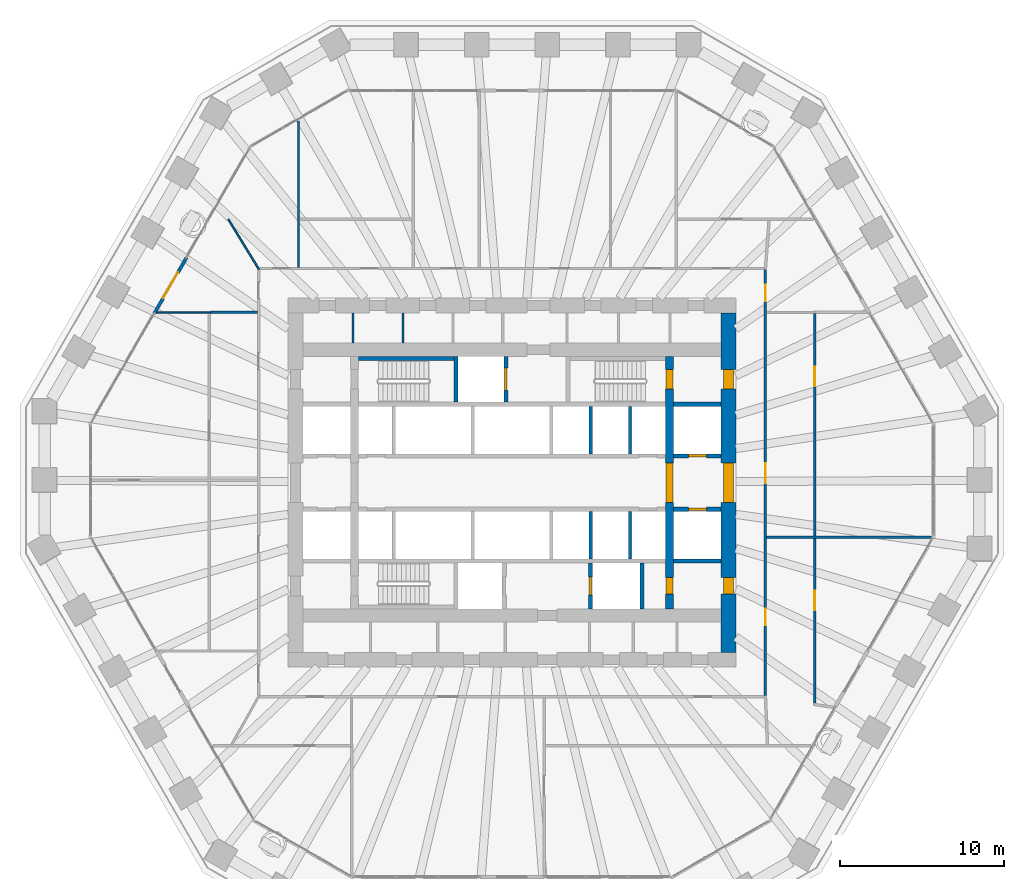
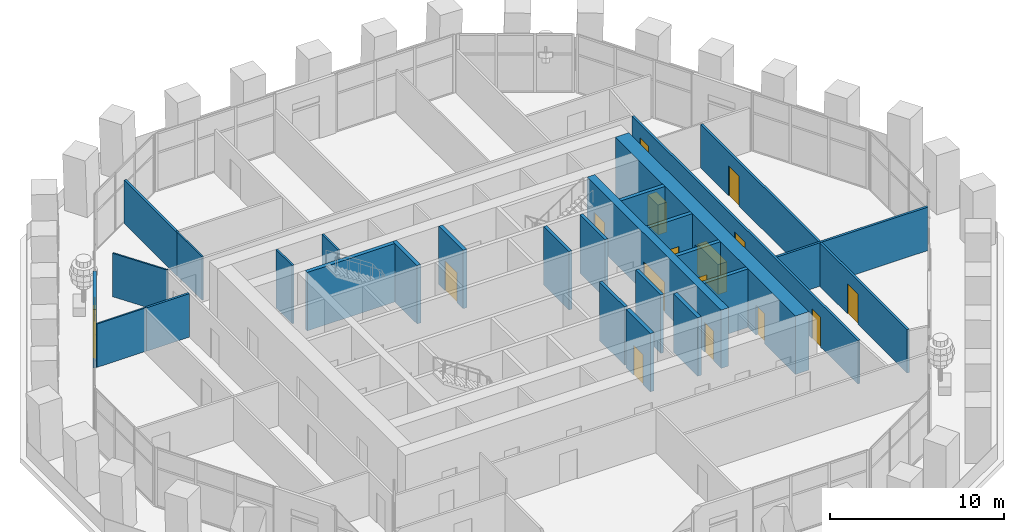
# One storey, part 13 of 18: 26 walls, 16 doors, 1 window, 17 openings.
"""IFC4 building model written with IfcOpenShell, lengths in metres."""

import ifcopenshell
import ifcopenshell.guid

model = None  # the IFC model being written
_history = None  # IfcOwnerHistory: only IFC2X3 demands one
_inside = {}  # id of a spatial element -> (the spatial element, [elements in it])
_under = {}  # id of a project, library or spatial element -> (it, [spatial elements below it])
_declared = {}  # id of a project -> (the project, [libraries it declares])
_typed = {}  # id of a type object -> (the type object, [elements of that type])
_made_of = {}  # id of a material, layer set ... -> (it, [elements and type objects made of it])


def new_model(schema):
    """Start an empty IFC model of exactly this schema.

    Asked for "IFC4X3", IfcOpenShell would pick the latest addendum, in which some entities
    have other attributes; the version numbers below select the first issue.
    IFC2X3 requires an IfcOwnerHistory on every rooted entity: one is made here for all.
    """
    global model, _history
    if schema == "IFC4X3":
        model = ifcopenshell.file(schema_version=(4, 3, 0, 0))
    else:
        model = ifcopenshell.file(schema=schema)
    _inside.clear()
    _under.clear()
    _declared.clear()
    _typed.clear()
    _made_of.clear()
    _history = None
    if model.schema == "IFC2X3":
        org = make("IfcOrganization", Name="unknown")
        user = make(
            "IfcPersonAndOrganization",
            ThePerson=make("IfcPerson", FamilyName="unknown"),
            TheOrganization=org,
        )
        app = make(
            "IfcApplication",
            ApplicationDeveloper=org,
            Version="unknown",
            ApplicationFullName="unknown",
            ApplicationIdentifier="unknown",
        )
        _history = make(
            "IfcOwnerHistory",
            OwningUser=user,
            OwningApplication=app,
            ChangeAction="ADDED",
            CreationDate=0,
        )
    return model


def make(cls, **values):
    """One entity of the class cls with the attributes given. An attribute that is None is left unset."""
    return model.create_entity(
        cls, **{name: value for name, value in values.items() if value is not None}
    )


def rooted(cls, **values):
    """An entity with a GlobalId (a new one), such as an element, a storey or a relation."""
    return make(cls, GlobalId=ifcopenshell.guid.new(), OwnerHistory=_history, **values)


def si_unit(unit_type, name, prefix=None):
    """IfcSIUnit, for example si_unit("LENGTHUNIT", "METRE", prefix="MILLI")."""
    return make("IfcSIUnit", UnitType=unit_type, Prefix=prefix, Name=name)


def assignment(units):
    """IfcUnitAssignment: the units of a project."""
    return None if units is None else make("IfcUnitAssignment", Units=units)


def point(xyz):
    """IfcCartesianPoint."""
    return None if xyz is None else make("IfcCartesianPoint", Coordinates=xyz)


def direction(xyz):
    """IfcDirection."""
    return None if xyz is None else make("IfcDirection", DirectionRatios=xyz)


def frame(location, z_axis=None, x_axis=None):
    """IfcAxis2Placement3D, a coordinate frame: its origin and axes. An axis left out is left unset."""
    return make(
        "IfcAxis2Placement3D",
        Location=point(location),
        Axis=direction(z_axis),
        RefDirection=direction(x_axis),
    )


def frame_2d(location, x_axis=None):
    """IfcAxis2Placement2D, a coordinate frame in the plane: its origin and x axis."""
    return make(
        "IfcAxis2Placement2D", Location=point(location), RefDirection=direction(x_axis)
    )


def origin():
    """The frame at (0, 0, 0) with its axes left unset."""
    return frame((0.0, 0.0, 0.0))


def place(relative_to, where):
    """IfcLocalPlacement: puts the frame where relative to a parent placement (None: the world)."""
    return make(
        "IfcLocalPlacement", PlacementRelTo=relative_to, RelativePlacement=where
    )


def context(
    kind, dimensions, precision=None, world=None, true_north=None, identifier=None
):
    """IfcGeometricRepresentationContext, for example the 3D "Model" context."""
    return make(
        "IfcGeometricRepresentationContext",
        ContextIdentifier=identifier,
        ContextType=kind,
        CoordinateSpaceDimension=dimensions,
        Precision=precision,
        WorldCoordinateSystem=world,
        TrueNorth=true_north,
    )


def subcontext(parent, identifier, kind, view, scale=None):
    """IfcGeometricRepresentationSubContext, for example "Body" below "Model"."""
    return make(
        "IfcGeometricRepresentationSubContext",
        ContextIdentifier=identifier,
        ContextType=kind,
        ParentContext=parent,
        TargetScale=scale,
        TargetView=view,
    )


def project(units=None, contexts=None):
    """IfcProject with its units and contexts."""
    return rooted(
        "IfcProject",
        Name="project",
        RepresentationContexts=contexts,
        UnitsInContext=assignment(units),
    )


def spatial(cls, under=None, at=None, **own):
    """A site, building, storey or space (cls), placed at a placement, below another one or the project."""
    s = rooted(cls, ObjectPlacement=at, **own)
    if under is not None:
        _under.setdefault(under.id(), (under, []))[1].append(s)
    return s


def profile(cls, at=None, kind="AREA", **sizes):
    """A parametric profile (cls). Its sizes go by their IFC names, for example OverallWidth=200.0."""
    return make(cls, ProfileType=kind, Position=at, **sizes)


def rectangle(**sizes):
    """IfcRectangleProfileDef."""
    return profile("IfcRectangleProfileDef", **sizes)


def extrude(swept, where, along, depth):
    """IfcExtrudedAreaSolid: the profile swept, set in the frame where, extruded along a direction by depth."""
    return make(
        "IfcExtrudedAreaSolid",
        SweptArea=swept,
        Position=where,
        ExtrudedDirection=direction(along),
        Depth=depth,
    )


def shape(context_of_items, identifier, shape_type, items):
    """IfcShapeRepresentation: the items that make up one representation, for example the "Body"."""
    return make(
        "IfcShapeRepresentation",
        ContextOfItems=context_of_items,
        RepresentationIdentifier=identifier,
        RepresentationType=shape_type,
        Items=items,
    )


def material(Name=None, Category=None):
    """IfcMaterial."""
    return make("IfcMaterial", Name=Name, Category=Category)


def layer(
    of_material, thickness, ventilated=None, Name=None, Category=None, Priority=None
):
    """IfcMaterialLayer: one layer of a wall or slab, of a material (None: an air gap)."""
    return make(
        "IfcMaterialLayer",
        Material=of_material,
        LayerThickness=thickness,
        IsVentilated=ventilated,
        Name=Name,
        Category=Category,
        Priority=Priority,
    )


def layer_set(layers, Name=None):
    """IfcMaterialLayerSet."""
    return make("IfcMaterialLayerSet", MaterialLayers=layers, LayerSetName=Name)


def made_of(thing, what):
    """Note that an element or type object is made of a material, layer set ...; save() writes the relation."""
    if what is not None:
        _made_of.setdefault(what.id(), (what, []))[1].append(thing)
    return thing


def type_object(cls, material=None, **own):
    """A type object (cls), such as IfcWallType, which elements share."""
    return made_of(rooted(cls, **own), material)


def element(
    cls,
    number,
    at=None,
    inside=None,
    cuts=None,
    type_object=None,
    material=None,
    context=None,
    identifier="Body",
    shape_type=None,
    held_by="IfcProductDefinitionShape",
    body=None,
    shapes=None,
    **own,
):
    """One element of the class cls, such as IfcWall. Its Tag is "e" and its number.

    at: its placement. inside: the storey or other place that contains it. cuts: it is an
    opening in that element (IfcRelVoidsElement). A single representation is given by context,
    identifier, shape_type and body (its items); several are given by shapes. held_by: the class
    of the entity that holds the representations. save() writes the other relations.
    """
    e = rooted(cls, Tag="e%d" % number, ObjectPlacement=at, **own)
    if body is not None:
        shapes = [shape(context, identifier, shape_type, body)]
    if shapes is not None:
        e.Representation = make(held_by, Representations=shapes)
    if inside is not None:
        _inside.setdefault(inside.id(), (inside, []))[1].append(e)
    if cuts is not None:
        rooted(
            "IfcRelVoidsElement", RelatingBuildingElement=cuts, RelatedOpeningElement=e
        )
    if type_object is not None:
        _typed.setdefault(type_object.id(), (type_object, []))[1].append(e)
    return made_of(e, material)


def fill(opening, filler):
    """IfcRelFillsElement: the door or window that sits in an opening."""
    return rooted(
        "IfcRelFillsElement",
        RelatingOpeningElement=opening,
        RelatedBuildingElement=filler,
    )


def aggregate(whole, parts):
    """IfcRelAggregates: a whole, such as a stair, and the parts it consists of."""
    return rooted("IfcRelAggregates", RelatingObject=whole, RelatedObjects=parts)


def save(model, path):
    """Write the relations noted so far, then the file.

    IfcRelAggregates (storeys below a building ...), IfcRelContainedInSpatialStructure (elements
    in a storey), IfcRelDefinesByType, IfcRelAssociatesMaterial and IfcRelDeclares: one each for
    every whole, place, type object, material and project.
    """
    for whole, parts in _under.values():
        aggregate(whole, parts)
    for where, things in _inside.values():
        rooted(
            "IfcRelContainedInSpatialStructure",
            RelatedElements=things,
            RelatingStructure=where,
        )
    for kind, things in _typed.values():
        rooted("IfcRelDefinesByType", RelatedObjects=things, RelatingType=kind)
    for what, things in _made_of.values():
        rooted("IfcRelAssociatesMaterial", RelatedObjects=things, RelatingMaterial=what)
    for by, libraries in _declared.values():
        rooted("IfcRelDeclares", RelatingContext=by, RelatedDefinitions=libraries)
    model.write(path)


model = new_model("IFC4")

# Units and contexts
model_context = context("Model", 3, precision=1e-05, world=origin(), true_north=direction((0.0, 1.0)))
body_context = subcontext(model_context, "Body", "Model", "MODEL_VIEW")
ifc_project = project(units=[si_unit("LENGTHUNIT", "METRE"), si_unit("AREAUNIT", "SQUARE_METRE"), si_unit("VOLUMEUNIT", "CUBIC_METRE"), si_unit("PLANEANGLEUNIT", "RADIAN"), si_unit("MASSUNIT", "GRAM", prefix="KILO")], contexts=[model_context])

# Site, building, storey
site_placement = place(None, origin())
site = spatial("IfcSite", under=ifc_project, at=site_placement, CompositionType="ELEMENT")
building_placement = place(site_placement, origin())
building = spatial("IfcBuilding", under=site, at=building_placement, Name="Frailejon Research Tower", CompositionType="ELEMENT")
storey_placement = place(building_placement, frame((0.0, 0.0, 19.0)))
storey = spatial("IfcBuildingStorey", under=building, at=storey_placement, Name="L04", CompositionType="ELEMENT", Elevation=19.0)

# Walls
ifc_material_1 = material(Name="Plasterboard on steel studs", Category="steel")
ifc_layer_1 = layer(ifc_material_1, 0.125)
ifc_layer_set_1 = layer_set([ifc_layer_1], Name="Core partition 125")
wall_type_1 = type_object("IfcWallType", Name="Core partition 125", PredefinedType="PARTITIONING", material=ifc_layer_set_1)
for number, where, z_axis, x_axis, name in (
    (1, (-9.703125, 8.5, 0.0), (0.0, 0.0, 1.0), (0.0, 1.0, 0.0), "Core partition"),
    (2, (-6.65625, 8.5, 0.0), (0.0, 0.0, 1.0), (0.0, 1.0, 0.0), "Core partition"),
):
    element("IfcWall", number, at=place(storey_placement, frame(where, z_axis=z_axis, x_axis=x_axis)), inside=storey, type_object=wall_type_1, Name=name, PredefinedType="PARTITIONING", context=body_context, shape_type="SweptSolid", body=[
        extrude(rectangle(XDim=1.85009765625, YDim=0.125, at=frame_2d((0.925048828125, 0.0))), origin(), (0.0, 0.0, 1.0), 4.10009765625),
    ])

# Wall, openings, doors
ifc_material_2 = material(Name="Concrete C70/85", Category="concrete")
ifc_layer_2 = layer(ifc_material_2, 0.5)
ifc_layer_set_2 = layer_set([ifc_layer_2], Name="Core shear wall 500 C70/85")
wall_type_2 = type_object("IfcWallType", Name="Core shear wall 500 C70/85", PredefinedType="SHEAR", material=ifc_layer_set_2)
wall_1_placement = place(storey_placement, frame((9.60009765625, -7.699951171875, 0.0), z_axis=(0.0, 0.0, 1.0), x_axis=(0.0, 1.0, 0.0)))
wall_1 = element("IfcWall", 3, at=wall_1_placement, inside=storey, type_object=wall_type_2, Name="Core shear wall", PredefinedType="SHEAR", context=body_context, shape_type="SweptSolid", body=[
    extrude(rectangle(XDim=15.39990234375, YDim=0.5, at=frame_2d((7.699951171875, 0.0))), origin(), (0.0, 0.0, 1.0), 4.10009765625),
])
opening_1_placement = place(wall_1_placement, frame((6.5, 0.0, 0.0)))
opening_1 = element("IfcOpeningElement", 4, at=opening_1_placement, cuts=wall_1, Name="Opening D2", PredefinedType="OPENING", context=body_context, shape_type="SweptSolid", body=[
    extrude(rectangle(XDim=2.39990234375, YDim=2.10009765625, at=frame_2d((1.199951171875, 1.050048828125))), frame((0.0, 0.260009765625, 0.0), z_axis=(0.0, -1.0, 0.0), x_axis=(1.0, 0.0, 0.0)), (0.0, 0.0, 1.0), 0.52001953125),
])
opening_2_placement = place(wall_1_placement, frame((13.39990234375, 0.0, 0.0)))
opening_2 = element("IfcOpeningElement", 5, at=opening_2_placement, cuts=wall_1, Name="Opening D1", PredefinedType="OPENING", context=body_context, shape_type="SweptSolid", body=[
    extrude(rectangle(XDim=1.199951171875, YDim=2.10009765625, at=frame_2d((0.60009765625, 1.050048828125))), frame((0.0, 0.260009765625, 0.0), z_axis=(0.0, -1.0, 0.0), x_axis=(1.0, 0.0, 0.0)), (0.0, 0.0, 1.0), 0.52001953125),
])
opening_3_placement = place(wall_1_placement, frame((0.89990234375, 0.0, 0.0)))
opening_3 = element("IfcOpeningElement", 6, at=opening_3_placement, cuts=wall_1, Name="Opening D4", PredefinedType="OPENING", context=body_context, shape_type="SweptSolid", body=[
    extrude(rectangle(XDim=1.0, YDim=2.10009765625, at=frame_2d((0.5, 1.050048828125))), frame((0.0, 0.260009765625, 0.0), z_axis=(0.0, -1.0, 0.0), x_axis=(1.0, 0.0, 0.0)), (0.0, 0.0, 1.0), 0.52001953125),
])
ifc_material_3 = material(Name="Steel", Category="steel")
door_type_1 = type_object("IfcDoorType", Name="Lobby double door", OperationType="DOUBLE_DOOR_SINGLE_SWING", PredefinedType="DOOR", material=ifc_material_3)
door_1_placement = place(opening_1_placement, origin())
door_1 = element("IfcDoor", 7, at=door_1_placement, inside=storey, type_object=door_type_1, Name="Lobby door", OperationType="DOUBLE_DOOR_SINGLE_SWING", OverallHeight=2.10009765625, OverallWidth=2.39990234375, PredefinedType="DOOR", context=body_context, shape_type="SweptSolid", body=[
    extrude(rectangle(XDim=2.39990234375, YDim=2.10009765625, at=frame_2d((1.199951171875, 1.050048828125))), frame((0.0, 0.199951171875, 0.0), z_axis=(0.0, -1.0, 0.0), x_axis=(1.0, 0.0, 0.0)), (0.0, 0.0, 1.0), 0.39990234375),
])
fill(opening_1, door_1)
ifc_material_4 = material(Name="Steel", Category="steel")
door_type_2 = type_object("IfcDoorType", Name="Service door", OperationType="SINGLE_SWING_LEFT", PredefinedType="DOOR", material=ifc_material_4)
door_2_placement = place(opening_3_placement, origin())
door_2 = element("IfcDoor", 8, at=door_2_placement, inside=storey, type_object=door_type_2, Name="Riser door", OperationType="SINGLE_SWING_RIGHT", OverallHeight=2.10009765625, OverallWidth=1.0, PredefinedType="DOOR", context=body_context, shape_type="SweptSolid", body=[
    extrude(rectangle(XDim=1.0, YDim=2.10009765625, at=frame_2d((0.5, 1.050048828125))), frame((0.0, 0.199951171875, 0.0), z_axis=(0.0, -1.0, 0.0), x_axis=(1.0, 0.0, 0.0)), (0.0, 0.0, 1.0), 0.39990234375),
])
fill(opening_3, door_2)
ifc_material_5 = material(Name="Steel", Category="steel")
door_type_3 = type_object("IfcDoorType", Name="Stair door", OperationType="SINGLE_SWING_LEFT", PredefinedType="DOOR", material=ifc_material_5)
door_3_placement = place(opening_2_placement, origin())
door_3 = element("IfcDoor", 9, at=door_3_placement, inside=storey, type_object=door_type_3, Name="Stair door ST3", OperationType="SINGLE_SWING_RIGHT", OverallHeight=2.10009765625, OverallWidth=1.199951171875, PredefinedType="DOOR", context=body_context, shape_type="SweptSolid", body=[
    extrude(rectangle(XDim=1.199951171875, YDim=2.10009765625, at=frame_2d((0.60009765625, 1.050048828125))), frame((0.0, 0.199951171875, 0.0), z_axis=(0.0, -1.0, 0.0), x_axis=(1.0, 0.0, 0.0)), (0.0, 0.0, 1.0), 0.39990234375),
])
fill(opening_2, door_3)

ifc_material_6 = material(Name="Concrete C70/85", Category="concrete")
ifc_layer_3 = layer(ifc_material_6, 0.89990234375)
ifc_layer_set_3 = layer_set([ifc_layer_3], Name="Core shear wall 900 C70/85")
wall_type_3 = type_object("IfcWallType", Name="Core shear wall 900 C70/85", PredefinedType="SHEAR", material=ifc_layer_set_3)
wall_2_placement = place(storey_placement, frame((13.199951171875, -10.35009765625, 0.0), z_axis=(0.0, 0.0, 1.0), x_axis=(0.0, 1.0, 0.0)))
wall_2 = element("IfcWall", 10, at=wall_2_placement, inside=storey, type_object=wall_type_3, Name="Core shear wall", PredefinedType="SHEAR", context=body_context, shape_type="SweptSolid", body=[
    extrude(rectangle(XDim=20.7001953125, YDim=0.89990234375, at=frame_2d((10.35009765625, 0.0))), origin(), (0.0, 0.0, 1.0), 4.10009765625),
])
opening_4_placement = place(wall_2_placement, frame((9.14990234375, 0.0, 0.0)))
opening_4 = element("IfcOpeningElement", 11, at=opening_4_placement, cuts=wall_2, Name="Opening D2", PredefinedType="OPENING", context=body_context, shape_type="SweptSolid", body=[
    extrude(rectangle(XDim=2.39990234375, YDim=2.10009765625, at=frame_2d((1.199951171875, 1.050048828125))), frame((0.0, 0.4599609375, 0.0), z_axis=(0.0, -1.0, 0.0), x_axis=(1.0, 0.0, 0.0)), (0.0, 0.0, 1.0), 0.919921875),
])
opening_5_placement = place(wall_2_placement, frame((16.050048828125, 0.0, 0.0)))
opening_5 = element("IfcOpeningElement", 12, at=opening_5_placement, cuts=wall_2, Name="Opening D7", PredefinedType="OPENING", context=body_context, shape_type="SweptSolid", body=[
    extrude(rectangle(XDim=1.199951171875, YDim=2.10009765625, at=frame_2d((0.60009765625, 1.050048828125))), frame((0.0, 0.4599609375, 0.0), z_axis=(0.0, -1.0, 0.0), x_axis=(1.0, 0.0, 0.0)), (0.0, 0.0, 1.0), 0.919921875),
])
opening_6_placement = place(wall_2_placement, frame((3.550048828125, 0.0, 0.0)))
opening_6 = element("IfcOpeningElement", 13, at=opening_6_placement, cuts=wall_2, Name="Opening D4", PredefinedType="OPENING", context=body_context, shape_type="SweptSolid", body=[
    extrude(rectangle(XDim=1.0, YDim=2.10009765625, at=frame_2d((0.5, 1.050048828125))), frame((0.0, 0.4599609375, 0.0), z_axis=(0.0, -1.0, 0.0), x_axis=(1.0, 0.0, 0.0)), (0.0, 0.0, 1.0), 0.919921875),
])
door_4_placement = place(opening_4_placement, origin())
door_4 = element("IfcDoor", 14, at=door_4_placement, inside=storey, type_object=door_type_1, Name="Lobby door", OperationType="DOUBLE_DOOR_SINGLE_SWING", OverallHeight=2.10009765625, OverallWidth=2.39990234375, PredefinedType="DOOR", context=body_context, shape_type="SweptSolid", body=[
    extrude(rectangle(XDim=2.39990234375, YDim=2.10009765625, at=frame_2d((1.199951171875, 1.050048828125))), frame((0.0, 0.300048828125, 0.0), z_axis=(0.0, -1.0, 0.0), x_axis=(1.0, 0.0, 0.0)), (0.0, 0.0, 1.0), 0.60009765625),
])
fill(opening_4, door_4)
door_5_placement = place(opening_6_placement, origin())
door_5 = element("IfcDoor", 15, at=door_5_placement, inside=storey, type_object=door_type_2, Name="Store door", OperationType="SINGLE_SWING_LEFT", OverallHeight=2.10009765625, OverallWidth=1.0, PredefinedType="DOOR", context=body_context, shape_type="SweptSolid", body=[
    extrude(rectangle(XDim=1.0, YDim=2.10009765625, at=frame_2d((0.5, 1.050048828125))), frame((0.0, 0.300048828125, 0.0), z_axis=(0.0, -1.0, 0.0), x_axis=(1.0, 0.0, 0.0)), (0.0, 0.0, 1.0), 0.60009765625),
])
fill(opening_6, door_5)
ifc_material_7 = material(Name="Steel", Category="steel")
door_type_4 = type_object("IfcDoorType", Name="Stair exit door", OperationType="SINGLE_SWING_LEFT", PredefinedType="DOOR", material=ifc_material_7)
door_6_placement = place(opening_5_placement, origin())
door_6 = element("IfcDoor", 16, at=door_6_placement, inside=storey, type_object=door_type_4, Name="Stair exit door ST3", OperationType="SINGLE_SWING_LEFT", OverallHeight=2.10009765625, OverallWidth=1.199951171875, PredefinedType="DOOR", context=body_context, shape_type="SweptSolid", body=[
    extrude(rectangle(XDim=1.199951171875, YDim=2.10009765625, at=frame_2d((0.60009765625, 1.050048828125))), frame((0.0, 0.300048828125, 0.0), z_axis=(0.0, -1.0, 0.0), x_axis=(1.0, 0.0, 0.0)), (0.0, 0.0, 1.0), 0.60009765625),
])
fill(opening_5, door_6)

ifc_material_8 = material(Name="Gypsum board and masonry partition", Category="masonry")
ifc_layer_4 = layer(ifc_material_8, 0.14990234375)
ifc_layer_set_4 = layer_set([ifc_layer_4], Name="Corridor wall EI 60, gypsum on steel studs 150")
wall_type_4 = type_object("IfcWallType", Name="Corridor wall EI 60, gypsum on steel studs 150", PredefinedType="PARTITIONING", material=ifc_layer_set_4)
wall_3_placement = place(storey_placement, frame((15.449951171875, -12.97509765625, 0.0), z_axis=(0.0, 0.0, 1.0), x_axis=(0.0, 1.0, 0.0)))
wall_3 = element("IfcWall", 17, at=wall_3_placement, inside=storey, type_object=wall_type_4, Name="T:IW:L04:001", PredefinedType="PARTITIONING", context=body_context, shape_type="SweptSolid", body=[
    extrude(rectangle(XDim=25.9501953125, YDim=0.14990234375, at=frame_2d((12.97509765625, 0.0))), origin(), (0.0, 0.0, 1.0), 3.050048828125),
])
opening_7_placement = place(wall_3_placement, frame((12.94970703125, 0.0, 0.0)))
opening_7 = element("IfcOpeningElement", 18, at=opening_7_placement, cuts=wall_3, Name="Opening D1244", PredefinedType="OPENING", context=body_context, shape_type="SweptSolid", body=[
    extrude(rectangle(XDim=1.199951171875, YDim=2.10009765625, at=frame_2d((0.60009765625, 1.050048828125))), frame((0.0, 0.0849609375, 0.0), z_axis=(0.0, -1.0, 0.0), x_axis=(1.0, 0.0, 0.0)), (0.0, 0.0, 1.0), 0.169921875),
])
opening_8_placement = place(wall_3_placement, frame((24.041748046875, 0.0, 0.0)))
opening_8 = element("IfcOpeningElement", 19, at=opening_8_placement, cuts=wall_3, Name="Opening D1245", PredefinedType="OPENING", context=body_context, shape_type="SweptSolid", body=[
    extrude(rectangle(XDim=1.0, YDim=2.10009765625, at=frame_2d((0.5, 1.050048828125))), frame((0.0, 0.0849609375, 0.0), z_axis=(0.0, -1.0, 0.0), x_axis=(1.0, 0.0, 0.0)), (0.0, 0.0, 1.0), 0.169921875),
])
opening_9_placement = place(wall_3_placement, frame((4.287109375, 0.0, 0.0)))
opening_9 = element("IfcOpeningElement", 20, at=opening_9_placement, cuts=wall_3, Name="Opening D1265", PredefinedType="OPENING", context=body_context, shape_type="SweptSolid", body=[
    extrude(rectangle(XDim=1.0, YDim=2.10009765625, at=frame_2d((0.5, 1.050048828125))), frame((0.0, 0.0849609375, 0.0), z_axis=(0.0, -1.0, 0.0), x_axis=(1.0, 0.0, 0.0)), (0.0, 0.0, 1.0), 0.169921875),
])
ifc_material_9 = material(Name="Timber door leaf", Category="wood")
door_type_5 = type_object("IfcDoorType", Name="Door laboratory, timber, vision panel 1000", OperationType="NOTDEFINED", PredefinedType="DOOR", material=ifc_material_9)
door_7_placement = place(opening_9_placement, origin())
door_7 = element("IfcDoor", 21, at=door_7_placement, inside=storey, type_object=door_type_5, Name="D1265", OperationType="SINGLE_SWING_LEFT", OverallHeight=2.10009765625, OverallWidth=1.0, PredefinedType="DOOR", context=body_context, shape_type="SweptSolid", body=[
    extrude(rectangle(XDim=1.0, YDim=2.10009765625, at=frame_2d((0.5, 1.050048828125))), frame((0.0, 0.02490234375, 0.0), z_axis=(0.0, -1.0, 0.0), x_axis=(1.0, 0.0, 0.0)), (0.0, 0.0, 1.0), 0.050048828125),
])
fill(opening_9, door_7)
ifc_material_10 = material(Name="Timber door leaf", Category="wood")
door_type_6 = type_object("IfcDoorType", Name="Door single leaf, timber, steel frame 1000", OperationType="NOTDEFINED", PredefinedType="DOOR", material=ifc_material_10)
door_8_placement = place(opening_8_placement, origin())
door_8 = element("IfcDoor", 22, at=door_8_placement, inside=storey, type_object=door_type_6, Name="D1245", OperationType="SINGLE_SWING_RIGHT", OverallHeight=2.10009765625, OverallWidth=1.0, PredefinedType="DOOR", context=body_context, shape_type="SweptSolid", body=[
    extrude(rectangle(XDim=1.0, YDim=2.10009765625, at=frame_2d((0.5, 1.050048828125))), frame((0.0, 0.02490234375, 0.0), z_axis=(0.0, -1.0, 0.0), x_axis=(1.0, 0.0, 0.0)), (0.0, 0.0, 1.0), 0.050048828125),
])
fill(opening_8, door_8)
ifc_material_11 = material(Name="Timber door leaf", Category="wood")
door_type_7 = type_object("IfcDoorType", Name="Door single leaf, timber, steel frame 1200", OperationType="NOTDEFINED", PredefinedType="DOOR", material=ifc_material_11)
door_9_placement = place(opening_7_placement, origin())
door_9 = element("IfcDoor", 23, at=door_9_placement, inside=storey, type_object=door_type_7, Name="D1244", OperationType="DOUBLE_DOOR_SINGLE_SWING", OverallHeight=2.10009765625, OverallWidth=1.199951171875, PredefinedType="DOOR", context=body_context, shape_type="SweptSolid", body=[
    extrude(rectangle(XDim=1.199951171875, YDim=2.10009765625, at=frame_2d((0.60009765625, 1.050048828125))), frame((0.0, 0.02490234375, 0.0), z_axis=(0.0, -1.0, 0.0), x_axis=(1.0, 0.0, 0.0)), (0.0, 0.0, 1.0), 0.050048828125),
])
fill(opening_7, door_9)

ifc_material_12 = material(Name="Gypsum board and masonry partition", Category="masonry")
ifc_layer_5 = layer(ifc_material_12, 0.14990234375)
ifc_layer_set_5 = layer_set([ifc_layer_5], Name="Laboratory partition, blockwork 150")
wall_type_5 = type_object("IfcWallType", Name="Laboratory partition, blockwork 150", PredefinedType="PARTITIONING", material=ifc_layer_set_5)
wall_4_placement = place(storey_placement, frame((18.449951171875, -13.44921875, 0.0), z_axis=(0.0, 0.0, 1.0), x_axis=(0.0, 1.0, 0.0)))
wall_4 = element("IfcWall", 24, at=wall_4_placement, inside=storey, type_object=wall_type_5, Name="T:IW:L04:005", PredefinedType="PARTITIONING", context=body_context, shape_type="SweptSolid", body=[
    extrude(rectangle(XDim=23.75, YDim=0.14990234375, at=frame_2d((11.875, 0.0))), origin(), (0.0, 0.0, 1.0), 3.050048828125),
])
opening_10_placement = place(wall_4_placement, frame((19.324462890625, 0.0, 0.0)))
opening_10 = element("IfcOpeningElement", 25, at=opening_10_placement, cuts=wall_4, Name="Opening D1243", PredefinedType="OPENING", context=body_context, shape_type="SweptSolid", body=[
    extrude(rectangle(XDim=1.199951171875, YDim=2.10009765625, at=frame_2d((0.60009765625, 1.050048828125))), frame((0.0, 0.0849609375, 0.0), z_axis=(0.0, -1.0, 0.0), x_axis=(1.0, 0.0, 0.0)), (0.0, 0.0, 1.0), 0.169921875),
])
opening_11_placement = place(wall_4_placement, frame((5.6689453125, 0.0, 0.0)))
opening_11 = element("IfcOpeningElement", 26, at=opening_11_placement, cuts=wall_4, Name="Opening D1266", PredefinedType="OPENING", context=body_context, shape_type="SweptSolid", body=[
    extrude(rectangle(XDim=1.199951171875, YDim=2.10009765625, at=frame_2d((0.60009765625, 1.050048828125))), frame((0.0, 0.0849609375, 0.0), z_axis=(0.0, -1.0, 0.0), x_axis=(1.0, 0.0, 0.0)), (0.0, 0.0, 1.0), 0.169921875),
])
ifc_material_13 = material(Name="Timber door leaf", Category="wood")
door_type_8 = type_object("IfcDoorType", Name="Door laboratory, timber, vision panel 1200", OperationType="NOTDEFINED", PredefinedType="DOOR", material=ifc_material_13)
door_10_placement = place(opening_10_placement, origin())
door_10 = element("IfcDoor", 27, at=door_10_placement, inside=storey, type_object=door_type_8, Name="D1243", OperationType="DOUBLE_DOOR_SINGLE_SWING", OverallHeight=2.10009765625, OverallWidth=1.199951171875, PredefinedType="DOOR", context=body_context, shape_type="SweptSolid", body=[
    extrude(rectangle(XDim=1.199951171875, YDim=2.10009765625, at=frame_2d((0.60009765625, 1.050048828125))), frame((0.0, 0.02490234375, 0.0), z_axis=(0.0, -1.0, 0.0), x_axis=(1.0, 0.0, 0.0)), (0.0, 0.0, 1.0), 0.050048828125),
])
fill(opening_10, door_10)
door_11_placement = place(opening_11_placement, origin())
door_11 = element("IfcDoor", 28, at=door_11_placement, inside=storey, type_object=door_type_8, Name="D1266", OperationType="DOUBLE_DOOR_SINGLE_SWING", OverallHeight=2.10009765625, OverallWidth=1.199951171875, PredefinedType="DOOR", context=body_context, shape_type="SweptSolid", body=[
    extrude(rectangle(XDim=1.199951171875, YDim=2.10009765625, at=frame_2d((0.60009765625, 1.050048828125))), frame((0.0, 0.02490234375, 0.0), z_axis=(0.0, -1.0, 0.0), x_axis=(1.0, 0.0, 0.0)), (0.0, 0.0, 1.0), 0.050048828125),
])
fill(opening_11, door_11)

# Walls
wall_5_placement = place(storey_placement, frame((-18.375, 10.375732421875, 0.0), z_axis=(0.0, 0.0, 1.0), x_axis=(1.0, 0.0, 0.0)))
element("IfcWall", 29, at=wall_5_placement, inside=storey, type_object=wall_type_5, Name="T:IW:L04:006", PredefinedType="PARTITIONING", context=body_context, shape_type="SweptSolid", body=[
    extrude(rectangle(XDim=2.85009765625, YDim=0.14990234375, at=frame_2d((1.425048828125, 0.0))), origin(), (0.0, 0.0, 1.0), 3.050048828125),
])
wall_6_placement = place(storey_placement, frame((15.52490234375, -3.32568359375, 0.0), z_axis=(0.0, 0.0, 1.0), x_axis=(1.0, 0.0, 0.0)))
element("IfcWall", 30, at=wall_6_placement, inside=storey, type_object=wall_type_5, Name="T:IW:L04:008", PredefinedType="PARTITIONING", context=body_context, shape_type="SweptSolid", body=[
    extrude(rectangle(XDim=10.036865234375, YDim=0.14990234375, at=frame_2d((5.0185546875, 0.0))), origin(), (0.0, 0.0, 1.0), 3.050048828125),
])
wall_7_placement = place(storey_placement, frame((-13.01611328125, 15.97509765625, 0.0), z_axis=(0.0, 0.0, 1.0), x_axis=(0.0, 1.0, 0.0)))
element("IfcWall", 31, at=wall_7_placement, inside=storey, type_object=wall_type_5, Name="T:IW:L04:015", PredefinedType="PARTITIONING", context=body_context, shape_type="SweptSolid", body=[
    extrude(rectangle(XDim=6.06201171875, YDim=0.14990234375, at=frame_2d((3.031005859375, 0.0))), origin(), (0.0, 0.0, 1.0), 3.050048828125),
])
ifc_material_14 = material(Name="Gypsum board and masonry partition", Category="masonry")
ifc_layer_6 = layer(ifc_material_14, 0.10009765625)
ifc_layer_set_6 = layer_set([ifc_layer_6], Name="Partition, gypsum on steel studs 100")
wall_type_6 = type_object("IfcWallType", Name="Partition, gypsum on steel studs 100", PredefinedType="PARTITIONING", material=ifc_layer_set_6)
wall_8_placement = place(storey_placement, frame((-21.651123046875, 10.375732421875, 0.0), z_axis=(0.0, 0.0, 1.0), x_axis=(1.0, 0.0, 0.0)))
element("IfcWall", 32, at=wall_8_placement, inside=storey, type_object=wall_type_6, Name="T:IW:L04:025", PredefinedType="PARTITIONING", context=body_context, shape_type="SweptSolid", body=[
    extrude(rectangle(XDim=3.276123046875, YDim=0.10009765625, at=frame_2d((1.63818359375, 0.0))), origin(), (0.0, 0.0, 1.0), 3.050048828125),
])
wall_9_placement = place(storey_placement, frame((-13.01611328125, 13.125, 0.0), z_axis=(0.0, 0.0, 1.0), x_axis=(0.0, 1.0, 0.0)))
element("IfcWall", 33, at=wall_9_placement, inside=storey, type_object=wall_type_6, Name="T:IW:L04:028", PredefinedType="PARTITIONING", context=body_context, shape_type="SweptSolid", body=[
    extrude(rectangle(XDim=3.0, YDim=0.10009765625, at=frame_2d((1.5, 0.0))), origin(), (0.0, 0.0, 1.0), 3.050048828125),
])
wall_10_placement = place(storey_placement, frame((-17.29541015625, 16.050048828125, 0.0), z_axis=(0.0, 0.0, 1.0), x_axis=(0.523945950868, -0.851751513394, 0.0)))
element("IfcWall", 34, at=wall_10_placement, inside=storey, type_object=wall_type_6, Name="T:IW:L04:029", PredefinedType="PARTITIONING", context=body_context, shape_type="SweptSolid", body=[
    extrude(rectangle(XDim=3.59716796875, YDim=0.10009765625, at=frame_2d((1.798583984375, 0.0))), origin(), (0.0, 0.0, 1.0), 3.050048828125),
])
ifc_material_15 = material(Name="Concrete C70/85", Category="concrete")
ifc_layer_7 = layer(ifc_material_15, 0.199951171875)
ifc_layer_set_7 = layer_set([ifc_layer_7], Name="Shaft wall 200 C70/85")
wall_type_7 = type_object("IfcWallType", Name="Shaft wall 200 C70/85", PredefinedType="SOLIDWALL", material=ifc_layer_set_7)
for number, where, z_axis, x_axis, name in (
    (35, (4.800048828125, 1.75, 0.0), (0.0, 0.0, 1.0), (0.0, 1.0, 0.0), "Shaft wall"),
    (36, (7.199951171875, 1.75, 0.0), (0.0, 0.0, 1.0), (0.0, 1.0, 0.0), "Shaft wall"),
    (37, (4.800048828125, -4.64990234375, 0.0), (0.0, 0.0, 1.0), (0.0, 1.0, 0.0), "Shaft wall"),
    (38, (7.199951171875, -4.64990234375, 0.0), (0.0, 0.0, 1.0), (0.0, 1.0, 0.0), "Shaft wall"),
):
    element("IfcWall", number, at=place(storey_placement, frame(where, z_axis=z_axis, x_axis=x_axis)), inside=storey, type_object=wall_type_7, Name=name, PredefinedType="SOLIDWALL", context=body_context, shape_type="SweptSolid", body=[
        extrude(rectangle(XDim=2.89990234375, YDim=0.199951171875, at=frame_2d((1.449951171875, 0.0))), origin(), (0.0, 0.0, 1.0), 4.10009765625),
    ])

# Wall, opening, door
ifc_material_16 = material(Name="Concrete C70/85", Category="concrete")
ifc_layer_8 = layer(ifc_material_16, 0.25)
ifc_layer_set_8 = layer_set([ifc_layer_8], Name="Shaft wall 250 C70/85")
wall_type_8 = type_object("IfcWallType", Name="Shaft wall 250 C70/85", PredefinedType="SOLIDWALL", material=ifc_layer_set_8)
wall_11_placement = place(storey_placement, frame((9.85009765625, 1.625, 0.0), z_axis=(0.0, 0.0, 1.0), x_axis=(1.0, 0.0, 0.0)))
wall_11 = element("IfcWall", 39, at=wall_11_placement, inside=storey, type_object=wall_type_8, Name="Shaft wall", PredefinedType="SOLIDWALL", context=body_context, shape_type="SweptSolid", body=[
    extrude(rectangle(XDim=2.89990234375, YDim=0.25, at=frame_2d((1.449951171875, 0.0))), origin(), (0.0, 0.0, 1.0), 4.10009765625),
])
opening_12_placement = place(wall_11_placement, frame((0.89990234375, 0.0, 0.0)))
opening_12 = element("IfcOpeningElement", 40, at=opening_12_placement, cuts=wall_11, Name="Opening LD", PredefinedType="OPENING", context=body_context, shape_type="SweptSolid", body=[
    extrude(rectangle(XDim=1.10009765625, YDim=2.10009765625, at=frame_2d((0.550048828125, 1.050048828125))), frame((0.0, 0.135009765625, 0.0), z_axis=(0.0, -1.0, 0.0), x_axis=(1.0, 0.0, 0.0)), (0.0, 0.0, 1.0), 0.27001953125),
])
ifc_material_17 = material(Name="Steel", Category="steel")
door_type_9 = type_object("IfcDoorType", Name="Lift landing door", OperationType="DOUBLE_DOOR_SLIDING", PredefinedType="DOOR", material=ifc_material_17)
door_12_placement = place(opening_12_placement, origin())
door_12 = element("IfcDoor", 41, at=door_12_placement, inside=storey, type_object=door_type_9, Name="Lift landing door", OperationType="DOUBLE_DOOR_SLIDING", OverallHeight=2.10009765625, OverallWidth=1.10009765625, PredefinedType="DOOR", context=body_context, shape_type="SweptSolid", body=[
    extrude(rectangle(XDim=1.10009765625, YDim=2.10009765625, at=frame_2d((0.550048828125, 1.050048828125))), frame((0.0, 0.074951171875, 0.0), z_axis=(0.0, -1.0, 0.0), x_axis=(1.0, 0.0, 0.0)), (0.0, 0.0, 1.0), 0.14990234375),
])
fill(opening_12, door_12)

# Wall
wall_12_placement = place(storey_placement, frame((9.85009765625, 4.77490234375, 0.0), z_axis=(0.0, 0.0, 1.0), x_axis=(1.0, 0.0, 0.0)))
element("IfcWall", 42, at=wall_12_placement, inside=storey, type_object=wall_type_8, Name="Shaft wall", PredefinedType="SOLIDWALL", context=body_context, shape_type="SweptSolid", body=[
    extrude(rectangle(XDim=2.89990234375, YDim=0.25, at=frame_2d((1.449951171875, 0.0))), origin(), (0.0, 0.0, 1.0), 4.10009765625),
])

# Wall, opening, door
wall_13_placement = place(storey_placement, frame((9.85009765625, -1.625, 0.0), z_axis=(0.0, 0.0, 1.0), x_axis=(1.0, 0.0, 0.0)))
wall_13 = element("IfcWall", 43, at=wall_13_placement, inside=storey, type_object=wall_type_8, Name="Shaft wall", PredefinedType="SOLIDWALL", context=body_context, shape_type="SweptSolid", body=[
    extrude(rectangle(XDim=2.89990234375, YDim=0.25, at=frame_2d((1.449951171875, 0.0))), origin(), (0.0, 0.0, 1.0), 4.10009765625),
])
opening_13_placement = place(wall_13_placement, frame((0.89990234375, 0.0, 0.0)))
opening_13 = element("IfcOpeningElement", 44, at=opening_13_placement, cuts=wall_13, Name="Opening LD", PredefinedType="OPENING", context=body_context, shape_type="SweptSolid", body=[
    extrude(rectangle(XDim=1.10009765625, YDim=2.10009765625, at=frame_2d((0.550048828125, 1.050048828125))), frame((0.0, 0.135009765625, 0.0), z_axis=(0.0, -1.0, 0.0), x_axis=(1.0, 0.0, 0.0)), (0.0, 0.0, 1.0), 0.27001953125),
])
door_13_placement = place(opening_13_placement, origin())
door_13 = element("IfcDoor", 45, at=door_13_placement, inside=storey, type_object=door_type_9, Name="Lift landing door", OperationType="DOUBLE_DOOR_SLIDING", OverallHeight=2.10009765625, OverallWidth=1.10009765625, PredefinedType="DOOR", context=body_context, shape_type="SweptSolid", body=[
    extrude(rectangle(XDim=1.10009765625, YDim=2.10009765625, at=frame_2d((0.550048828125, 1.050048828125))), frame((0.0, 0.074951171875, 0.0), z_axis=(0.0, -1.0, 0.0), x_axis=(1.0, 0.0, 0.0)), (0.0, 0.0, 1.0), 0.14990234375),
])
fill(opening_13, door_13)

# Walls
wall_14_placement = place(storey_placement, frame((9.85009765625, -4.77490234375, 0.0), z_axis=(0.0, 0.0, 1.0), x_axis=(1.0, 0.0, 0.0)))
element("IfcWall", 46, at=wall_14_placement, inside=storey, type_object=wall_type_8, Name="Shaft wall", PredefinedType="SOLIDWALL", context=body_context, shape_type="SweptSolid", body=[
    extrude(rectangle(XDim=2.89990234375, YDim=0.25, at=frame_2d((1.449951171875, 0.0))), origin(), (0.0, 0.0, 1.0), 4.10009765625),
])
wall_15_placement = place(storey_placement, frame((-9.35009765625, 7.574951171875, 0.0), z_axis=(0.0, 0.0, 1.0), x_axis=(1.0, 0.0, 0.0)))
element("IfcWall", 47, at=wall_15_placement, inside=storey, type_object=wall_type_8, Name="Shaft wall", PredefinedType="SOLIDWALL", context=body_context, shape_type="SweptSolid", body=[
    extrude(rectangle(XDim=5.800048828125, YDim=0.25, at=frame_2d((2.89990234375, 0.0))), origin(), (0.0, 0.0, 1.0), 4.10009765625),
])
wall_16_placement = place(storey_placement, frame((-3.425048828125, 4.89990234375, 0.0), z_axis=(0.0, 0.0, 1.0), x_axis=(0.0, 1.0, 0.0)))
element("IfcWall", 48, at=wall_16_placement, inside=storey, type_object=wall_type_8, Name="Shaft wall", PredefinedType="SOLIDWALL", context=body_context, shape_type="SweptSolid", body=[
    extrude(rectangle(XDim=2.800048828125, YDim=0.25, at=frame_2d((1.39990234375, 0.0))), origin(), (0.0, 0.0, 1.0), 4.10009765625),
])

# Wall, opening, door
wall_17_placement = place(storey_placement, frame((-0.375, 4.89990234375, 0.0), z_axis=(0.0, 0.0, 1.0), x_axis=(0.0, 1.0, 0.0)))
wall_17 = element("IfcWall", 49, at=wall_17_placement, inside=storey, type_object=wall_type_8, Name="Shaft wall", PredefinedType="SOLIDWALL", context=body_context, shape_type="SweptSolid", body=[
    extrude(rectangle(XDim=2.800048828125, YDim=0.25, at=frame_2d((1.39990234375, 0.0))), origin(), (0.0, 0.0, 1.0), 4.10009765625),
])
opening_14_placement = place(wall_17_placement, frame((0.699951171875, 0.0, 0.0)))
opening_14 = element("IfcOpeningElement", 50, at=opening_14_placement, cuts=wall_17, Name="Opening LD2", PredefinedType="OPENING", context=body_context, shape_type="SweptSolid", body=[
    extrude(rectangle(XDim=1.39990234375, YDim=2.10009765625, at=frame_2d((0.699951171875, 1.050048828125))), frame((0.0, 0.135009765625, 0.0), z_axis=(0.0, -1.0, 0.0), x_axis=(1.0, 0.0, 0.0)), (0.0, 0.0, 1.0), 0.27001953125),
])
ifc_material_18 = material(Name="Stainless steel", Category="steel")
door_type_10 = type_object("IfcDoorType", Name="Goods landing door", OperationType="DOUBLE_DOOR_SLIDING", PredefinedType="DOOR", material=ifc_material_18)
door_14_placement = place(opening_14_placement, origin())
door_14 = element("IfcDoor", 51, at=door_14_placement, inside=storey, type_object=door_type_10, Name="Lift landing door", OperationType="DOUBLE_DOOR_SLIDING", OverallHeight=2.10009765625, OverallWidth=1.39990234375, PredefinedType="DOOR", context=body_context, shape_type="SweptSolid", body=[
    extrude(rectangle(XDim=1.39990234375, YDim=2.10009765625, at=frame_2d((0.699951171875, 1.050048828125))), frame((0.0, 0.074951171875, 0.0), z_axis=(0.0, -1.0, 0.0), x_axis=(1.0, 0.0, 0.0)), (0.0, 0.0, 1.0), 0.14990234375),
])
fill(opening_14, door_14)

wall_18_placement = place(storey_placement, frame((4.77490234375, -7.699951171875, 0.0), z_axis=(0.0, 0.0, 1.0), x_axis=(0.0, 1.0, 0.0)))
wall_18 = element("IfcWall", 52, at=wall_18_placement, inside=storey, type_object=wall_type_8, Name="Shaft wall", PredefinedType="SOLIDWALL", context=body_context, shape_type="SweptSolid", body=[
    extrude(rectangle(XDim=2.800048828125, YDim=0.25, at=frame_2d((1.39990234375, 0.0))), origin(), (0.0, 0.0, 1.0), 4.10009765625),
])
opening_15_placement = place(wall_18_placement, frame((0.85009765625, 0.0, 0.0)))
opening_15 = element("IfcOpeningElement", 53, at=opening_15_placement, cuts=wall_18, Name="Opening LD", PredefinedType="OPENING", context=body_context, shape_type="SweptSolid", body=[
    extrude(rectangle(XDim=1.10009765625, YDim=2.10009765625, at=frame_2d((0.550048828125, 1.050048828125))), frame((0.0, 0.135009765625, 0.0), z_axis=(0.0, -1.0, 0.0), x_axis=(1.0, 0.0, 0.0)), (0.0, 0.0, 1.0), 0.27001953125),
])
door_15_placement = place(opening_15_placement, origin())
door_15 = element("IfcDoor", 54, at=door_15_placement, inside=storey, type_object=door_type_9, Name="Lift landing door", OperationType="DOUBLE_DOOR_SLIDING", OverallHeight=2.10009765625, OverallWidth=1.10009765625, PredefinedType="DOOR", context=body_context, shape_type="SweptSolid", body=[
    extrude(rectangle(XDim=1.10009765625, YDim=2.10009765625, at=frame_2d((0.550048828125, 1.050048828125))), frame((0.0, 0.074951171875, 0.0), z_axis=(0.0, -1.0, 0.0), x_axis=(1.0, 0.0, 0.0)), (0.0, 0.0, 1.0), 0.14990234375),
])
fill(opening_15, door_15)

# Wall
wall_19_placement = place(storey_placement, frame((7.925048828125, -7.699951171875, 0.0), z_axis=(0.0, 0.0, 1.0), x_axis=(0.0, 1.0, 0.0)))
element("IfcWall", 55, at=wall_19_placement, inside=storey, type_object=wall_type_8, Name="Shaft wall", PredefinedType="SOLIDWALL", context=body_context, shape_type="SweptSolid", body=[
    extrude(rectangle(XDim=2.800048828125, YDim=0.25, at=frame_2d((1.39990234375, 0.0))), origin(), (0.0, 0.0, 1.0), 4.10009765625),
])

# Wall, openings, door, window
ifc_material_19 = material(Name="Concrete C40/50 precast window wall panel", Category="concrete")
ifc_layer_9 = layer(ifc_material_19, 0.199951171875)
ifc_layer_set_9 = layer_set([ifc_layer_9], Name="Window wall 200")
wall_type_9 = type_object("IfcWallType", Name="Window wall 200", PredefinedType="SOLIDWALL", material=ifc_layer_set_9)
wall_20_placement = place(storey_placement, frame((-19.8427734375, 13.707763671875, 0.0), z_axis=(0.0, 0.0, 1.0), x_axis=(-0.499997012787, -0.866027128446, 0.0)))
wall_20 = element("IfcWall", 56, at=wall_20_placement, inside=storey, type_object=wall_type_9, Name="Door pier L04", PredefinedType="SOLIDWALL", context=body_context, shape_type="SweptSolid", body=[
    extrude(rectangle(XDim=3.89990234375, YDim=0.199951171875, at=frame_2d((1.949951171875, 0.0))), origin(), (0.0, 0.0, 1.0), 4.10009765625),
])
opening_16_placement = place(wall_20_placement, frame((1.050048828125, 0.0, 0.0)))
opening_16 = element("IfcOpeningElement", 57, at=opening_16_placement, cuts=wall_20, Name="Opening LG04-3", PredefinedType="OPENING", context=body_context, shape_type="SweptSolid", body=[
    extrude(rectangle(XDim=1.800048828125, YDim=2.39990234375, at=frame_2d((0.89990234375, 1.199951171875))), frame((0.0, 0.10986328125, 0.0), z_axis=(0.0, -1.0, 0.0), x_axis=(1.0, 0.0, 0.0)), (0.0, 0.0, 1.0), 0.219970703125),
])
opening_17_placement = place(wall_20_placement, frame((1.050048828125, 0.0, 2.550048828125)))
opening_17 = element("IfcOpeningElement", 58, at=opening_17_placement, cuts=wall_20, Name="Opening W1", PredefinedType="OPENING", context=body_context, shape_type="SweptSolid", body=[
    extrude(rectangle(XDim=1.800048828125, YDim=0.449951171875, at=frame_2d((0.89990234375, 0.22509765625))), frame((0.0, 0.10986328125, 0.0), z_axis=(0.0, -1.0, 0.0), x_axis=(1.0, 0.0, 0.0)), (0.0, 0.0, 1.0), 0.219970703125),
])
ifc_material_20 = material(Name="Aluminium framed glazed door leaf", Category="aluminium")
door_type_11 = type_object("IfcDoorType", Name="Loggia door 1800x2400", OperationType="DOUBLE_DOOR_SINGLE_SWING", PredefinedType="DOOR", material=ifc_material_20)
door_16_placement = place(opening_16_placement, origin())
door_16 = element("IfcDoor", 59, at=door_16_placement, inside=storey, type_object=door_type_11, Name="Door LG04-3", OperationType="DOUBLE_DOOR_SINGLE_SWING", OverallHeight=2.39990234375, OverallWidth=1.800048828125, PredefinedType="DOOR", context=body_context, shape_type="SweptSolid", body=[
    extrude(rectangle(XDim=1.800048828125, YDim=2.39990234375, at=frame_2d((0.89990234375, 1.199951171875))), frame((0.0, 0.02490234375, 0.0), z_axis=(0.0, -1.0, 0.0), x_axis=(1.0, 0.0, 0.0)), (0.0, 0.0, 1.0), 0.050048828125),
])
fill(opening_16, door_16)
ifc_material_21 = material(Name="Aluminium framed double glazing", Category="aluminium")
window_type = type_object("IfcWindowType", Name="Window 1800x450", PartitioningType="SINGLE_PANEL", PredefinedType="WINDOW", material=ifc_material_21)
window_placement = place(opening_17_placement, origin())
window = element("IfcWindow", 60, at=window_placement, inside=storey, type_object=window_type, Name="Window L04", OverallHeight=0.449951171875, OverallWidth=1.800048828125, PartitioningType="SINGLE_PANEL", PredefinedType="WINDOW", context=body_context, shape_type="SweptSolid", body=[
    extrude(rectangle(XDim=1.800048828125, YDim=0.449951171875, at=frame_2d((0.89990234375, 0.22509765625))), frame((0.0, 0.030029296875, 0.0), z_axis=(0.0, -1.0, 0.0), x_axis=(1.0, 0.0, 0.0)), (0.0, 0.0, 1.0), 0.06005859375),
])
fill(opening_17, window)

save(model, "model.ifc")
